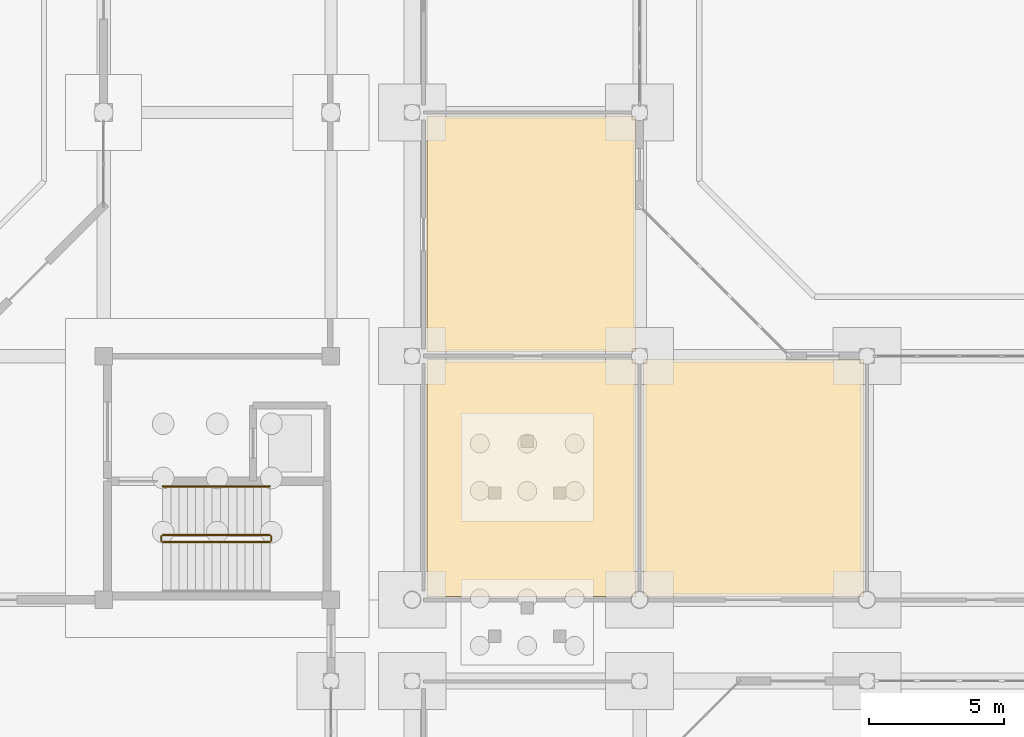
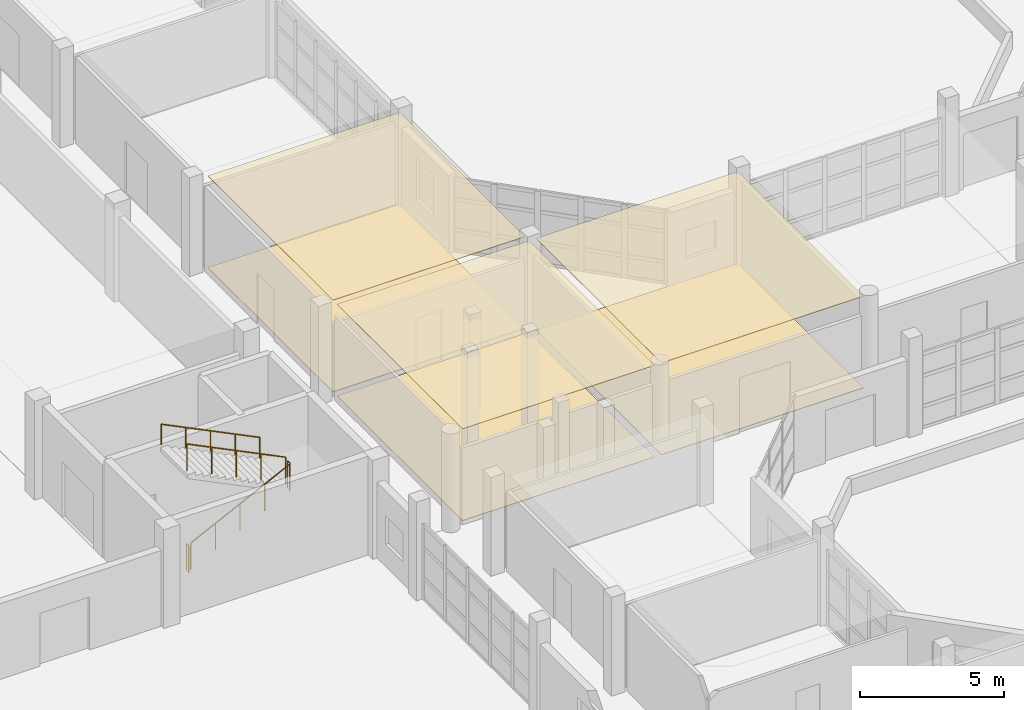
# One storey, part 77 of 88: 6 coverings, 5 railings.
"""IFC4 building model written with IfcOpenShell, lengths in metres."""

from ifc_helpers import new_model, si_unit, direction, frame, origin, origin_2d, place, context, subcontext, project, spatial, polyline, circle, outline, extrude, material, layer, layer_set, type_object, element, save


model = new_model("IFC4")

# Units and contexts
model_context = context("Model", 3, precision=1e-05, world=origin(), true_north=direction((0.0, 1.0)))
body_context = subcontext(model_context, "Body", "Model", "MODEL_VIEW")
ifc_project = project(units=[si_unit("LENGTHUNIT", "METRE"), si_unit("AREAUNIT", "SQUARE_METRE"), si_unit("VOLUMEUNIT", "CUBIC_METRE"), si_unit("PLANEANGLEUNIT", "RADIAN"), si_unit("MASSUNIT", "GRAM", prefix="KILO")], contexts=[model_context])

# Site, building, storey
site_placement = place(None, origin())
site = spatial("IfcSite", under=ifc_project, at=site_placement, CompositionType="ELEMENT")
building_placement = place(site_placement, origin())
building = spatial("IfcBuilding", under=site, at=building_placement, Name="Vanh Quang Courtyard School", CompositionType="ELEMENT")
storey_placement = place(building_placement, origin())
storey = spatial("IfcBuildingStorey", under=building, at=storey_placement, Name="L00", CompositionType="ELEMENT", Elevation=0.0)

# Coverings
ifc_material_1 = material(Name="Perforated mineral-fibre acoustic ceiling board")
ifc_layer_1 = layer(ifc_material_1, 0.02490234375)
ifc_layer_set_1 = layer_set([ifc_layer_1], Name="Perforated mineral-fibre acoustic ceiling board")
covering_type_1 = type_object("IfcCoveringType", Name="COV-CEIL-ACOUSTIC", PredefinedType="CEILING", material=ifc_layer_set_1)
covering_1_placement = place(storey_placement, frame((0.0, 0.0, 3.89501953125)))
element("IfcCovering", 1, at=covering_1_placement, inside=storey, type_object=covering_type_1, Name="Covering CV-CL1 (L00)", PredefinedType="CEILING", context=body_context, shape_type="SweptSolid", body=[
    extrude(outline(polyline([(85.659912109375, 41.27001953125), (85.660888671875, 41.27001953125), (85.662109375, 41.269775390625), (85.662841796875, 41.26953125), (85.663818359375, 41.269287109375), (85.664794921875, 41.268798828125), (85.66552734375, 41.268310546875), (85.666259765625, 41.267578125), (85.6669921875, 41.26708984375), (85.667724609375, 41.266357421875), (85.668212890625, 41.265625), (85.668701171875, 41.2646484375), (85.669189453125, 41.263916015625), (85.669677734375, 41.262939453125), (85.669921875, 41.261962890625), (85.669921875, 41.260986328125), (85.669921875, 41.260009765625), (85.669921875, 32.5400390625), (85.669921875, 32.5390625), (85.669921875, 32.5380859375), (85.669677734375, 32.537109375), (85.669189453125, 32.5361328125), (85.668701171875, 32.535400390625), (85.668212890625, 32.534423828125), (85.667724609375, 32.53369140625), (85.6669921875, 32.532958984375), (85.666259765625, 32.5322265625), (85.66552734375, 32.53173828125), (85.664794921875, 32.53125), (85.663818359375, 32.53076171875), (85.662841796875, 32.530517578125), (85.662109375, 32.5302734375), (85.660888671875, 32.530029296875), (85.659912109375, 32.530029296875), (77.9599609375, 32.530029296875), (77.958984375, 32.530029296875), (77.9580078125, 32.5302734375), (77.95703125, 32.530517578125), (77.956298828125, 32.53076171875), (77.955322265625, 32.53125), (77.954345703125, 32.53173828125), (77.95361328125, 32.5322265625), (77.952880859375, 32.532958984375), (77.952392578125, 32.53369140625), (77.95166015625, 32.534423828125), (77.951171875, 32.535400390625), (77.95068359375, 32.5361328125), (77.950439453125, 32.537109375), (77.9501953125, 32.5380859375), (77.949951171875, 32.5390625), (77.949951171875, 32.5400390625), (77.949951171875, 41.260009765625), (77.949951171875, 41.260986328125), (77.9501953125, 41.261962890625), (77.950439453125, 41.262939453125), (77.95068359375, 41.263916015625), (77.951171875, 41.2646484375), (77.95166015625, 41.265625), (77.952392578125, 41.266357421875), (77.952880859375, 41.26708984375), (77.95361328125, 41.267578125), (77.954345703125, 41.268310546875), (77.955322265625, 41.268798828125), (77.956298828125, 41.269287109375), (77.95703125, 41.26953125), (77.9580078125, 41.269775390625), (77.958984375, 41.27001953125), (77.9599609375, 41.27001953125), (85.659912109375, 41.27001953125)])), origin(), (0.0, 0.0, 1.0), 0.02490234375),
])
covering_2_placement = place(storey_placement, frame((0.0, 0.0, 3.89501953125)))
element("IfcCovering", 2, at=covering_2_placement, inside=storey, type_object=covering_type_1, Name="Covering CV-CL1 (L00)", PredefinedType="CEILING", context=body_context, shape_type="SweptSolid", body=[
    extrude(outline(polyline([(77.9599609375, 41.550048828125), (77.958984375, 41.550048828125), (77.9580078125, 41.55029296875), (77.95703125, 41.55029296875), (77.956298828125, 41.55078125), (77.955322265625, 41.55126953125), (77.954345703125, 41.5517578125), (77.95361328125, 41.55224609375), (77.952880859375, 41.552978515625), (77.952392578125, 41.5537109375), (77.95166015625, 41.554443359375), (77.951171875, 41.555419921875), (77.95068359375, 41.55615234375), (77.950439453125, 41.55712890625), (77.9501953125, 41.55810546875), (77.949951171875, 41.55908203125), (77.949951171875, 41.56005859375), (77.949951171875, 50.260009765625), (77.949951171875, 50.260986328125), (77.9501953125, 50.261962890625), (77.950439453125, 50.262939453125), (77.95068359375, 50.263916015625), (77.951171875, 50.2646484375), (77.95166015625, 50.265625), (77.952392578125, 50.266357421875), (77.952880859375, 50.26708984375), (77.95361328125, 50.267578125), (77.954345703125, 50.268310546875), (77.955322265625, 50.268798828125), (77.956298828125, 50.269287109375), (77.95703125, 50.26953125), (77.9580078125, 50.269775390625), (77.958984375, 50.27001953125), (77.9599609375, 50.27001953125), (85.659912109375, 50.27001953125), (85.660888671875, 50.27001953125), (85.662109375, 50.269775390625), (85.662841796875, 50.26953125), (85.663818359375, 50.269287109375), (85.664794921875, 50.268798828125), (85.66552734375, 50.268310546875), (85.666259765625, 50.267578125), (85.6669921875, 50.26708984375), (85.667724609375, 50.266357421875), (85.668212890625, 50.265625), (85.668701171875, 50.2646484375), (85.669189453125, 50.263916015625), (85.669677734375, 50.262939453125), (85.669921875, 50.261962890625), (85.669921875, 50.260986328125), (85.669921875, 50.260009765625), (85.669921875, 41.56005859375), (85.669921875, 41.55908203125), (85.669921875, 41.55810546875), (85.669677734375, 41.55712890625), (85.669189453125, 41.55615234375), (85.668701171875, 41.555419921875), (85.668212890625, 41.554443359375), (85.667724609375, 41.5537109375), (85.6669921875, 41.552978515625), (85.666259765625, 41.55224609375), (85.66552734375, 41.5517578125), (85.664794921875, 41.55126953125), (85.663818359375, 41.55078125), (85.662841796875, 41.55029296875), (85.662109375, 41.55029296875), (85.660888671875, 41.550048828125), (85.659912109375, 41.550048828125), (77.9599609375, 41.550048828125)])), origin(), (0.0, 0.0, 1.0), 0.02490234375),
])
covering_3_placement = place(storey_placement, frame((0.0, 0.0, 3.89501953125)))
element("IfcCovering", 3, at=covering_3_placement, inside=storey, type_object=covering_type_1, Name="Covering CV-CL1 (L00)", PredefinedType="CEILING", context=body_context, shape_type="SweptSolid", body=[
    extrude(outline(polyline([(85.9599609375, 32.530029296875), (85.958984375, 32.530029296875), (85.9580078125, 32.5302734375), (85.95703125, 32.530517578125), (85.956298828125, 32.53076171875), (85.955322265625, 32.53125), (85.954345703125, 32.53173828125), (85.95361328125, 32.5322265625), (85.952880859375, 32.532958984375), (85.952392578125, 32.53369140625), (85.95166015625, 32.534423828125), (85.951171875, 32.535400390625), (85.95068359375, 32.5361328125), (85.950439453125, 32.537109375), (85.9501953125, 32.5380859375), (85.949951171875, 32.5390625), (85.949951171875, 32.5400390625), (85.949951171875, 41.260009765625), (85.949951171875, 41.260986328125), (85.9501953125, 41.261962890625), (85.950439453125, 41.262939453125), (85.95068359375, 41.263916015625), (85.951171875, 41.2646484375), (85.95166015625, 41.265625), (85.952392578125, 41.266357421875), (85.952880859375, 41.26708984375), (85.95361328125, 41.267578125), (85.954345703125, 41.268310546875), (85.955322265625, 41.268798828125), (85.956298828125, 41.269287109375), (85.95703125, 41.26953125), (85.9580078125, 41.269775390625), (85.958984375, 41.27001953125), (85.9599609375, 41.27001953125), (94.06005859375, 41.27001953125), (94.06103515625, 41.27001953125), (94.06201171875, 41.269775390625), (94.06298828125, 41.26953125), (94.063720703125, 41.269287109375), (94.064697265625, 41.268798828125), (94.065673828125, 41.268310546875), (94.06640625, 41.267578125), (94.067138671875, 41.26708984375), (94.067626953125, 41.266357421875), (94.068359375, 41.265625), (94.06884765625, 41.2646484375), (94.069091796875, 41.263916015625), (94.069580078125, 41.262939453125), (94.06982421875, 41.261962890625), (94.070068359375, 41.260986328125), (94.070068359375, 41.260009765625), (94.070068359375, 32.5400390625), (94.070068359375, 32.5390625), (94.06982421875, 32.5380859375), (94.069580078125, 32.537109375), (94.069091796875, 32.5361328125), (94.06884765625, 32.535400390625), (94.068359375, 32.534423828125), (94.067626953125, 32.53369140625), (94.067138671875, 32.532958984375), (94.06640625, 32.5322265625), (94.065673828125, 32.53173828125), (94.064697265625, 32.53125), (94.063720703125, 32.53076171875), (94.06298828125, 32.530517578125), (94.06201171875, 32.5302734375), (94.06103515625, 32.530029296875), (94.06005859375, 32.530029296875), (85.9599609375, 32.530029296875)])), origin(), (0.0, 0.0, 1.0), 0.02490234375),
])
ifc_material_2 = material(Name="Polished cementitious terrazzo tile", Category="concrete")
ifc_layer_2 = layer(ifc_material_2, 0.02001953125)
ifc_layer_set_2 = layer_set([ifc_layer_2], Name="Polished cementitious terrazzo tile")
covering_type_2 = type_object("IfcCoveringType", Name="COV-FLR-TERRAZZO", PredefinedType="FLOORING", material=ifc_layer_set_2)
covering_4_placement = place(storey_placement, origin())
element("IfcCovering", 4, at=covering_4_placement, inside=storey, type_object=covering_type_2, Name="Covering CV-FL1 (L00)", PredefinedType="FLOORING", context=body_context, shape_type="SweptSolid", body=[
    extrude(outline(polyline([(85.659912109375, 41.27001953125), (85.660888671875, 41.27001953125), (85.662109375, 41.269775390625), (85.662841796875, 41.26953125), (85.663818359375, 41.269287109375), (85.664794921875, 41.268798828125), (85.66552734375, 41.268310546875), (85.666259765625, 41.267578125), (85.6669921875, 41.26708984375), (85.667724609375, 41.266357421875), (85.668212890625, 41.265625), (85.668701171875, 41.2646484375), (85.669189453125, 41.263916015625), (85.669677734375, 41.262939453125), (85.669921875, 41.261962890625), (85.669921875, 41.260986328125), (85.669921875, 41.260009765625), (85.669921875, 32.5400390625), (85.669921875, 32.5390625), (85.669921875, 32.5380859375), (85.669677734375, 32.537109375), (85.669189453125, 32.5361328125), (85.668701171875, 32.535400390625), (85.668212890625, 32.534423828125), (85.667724609375, 32.53369140625), (85.6669921875, 32.532958984375), (85.666259765625, 32.5322265625), (85.66552734375, 32.53173828125), (85.664794921875, 32.53125), (85.663818359375, 32.53076171875), (85.662841796875, 32.530517578125), (85.662109375, 32.5302734375), (85.660888671875, 32.530029296875), (85.659912109375, 32.530029296875), (77.9599609375, 32.530029296875), (77.958984375, 32.530029296875), (77.9580078125, 32.5302734375), (77.95703125, 32.530517578125), (77.956298828125, 32.53076171875), (77.955322265625, 32.53125), (77.954345703125, 32.53173828125), (77.95361328125, 32.5322265625), (77.952880859375, 32.532958984375), (77.952392578125, 32.53369140625), (77.95166015625, 32.534423828125), (77.951171875, 32.535400390625), (77.95068359375, 32.5361328125), (77.950439453125, 32.537109375), (77.9501953125, 32.5380859375), (77.949951171875, 32.5390625), (77.949951171875, 32.5400390625), (77.949951171875, 41.260009765625), (77.949951171875, 41.260986328125), (77.9501953125, 41.261962890625), (77.950439453125, 41.262939453125), (77.95068359375, 41.263916015625), (77.951171875, 41.2646484375), (77.95166015625, 41.265625), (77.952392578125, 41.266357421875), (77.952880859375, 41.26708984375), (77.95361328125, 41.267578125), (77.954345703125, 41.268310546875), (77.955322265625, 41.268798828125), (77.956298828125, 41.269287109375), (77.95703125, 41.26953125), (77.9580078125, 41.269775390625), (77.958984375, 41.27001953125), (77.9599609375, 41.27001953125), (85.659912109375, 41.27001953125)])), origin(), (0.0, 0.0, 1.0), 0.02001953125),
])
covering_5_placement = place(storey_placement, origin())
element("IfcCovering", 5, at=covering_5_placement, inside=storey, type_object=covering_type_2, Name="Covering CV-FL1 (L00)", PredefinedType="FLOORING", context=body_context, shape_type="SweptSolid", body=[
    extrude(outline(polyline([(77.9599609375, 41.550048828125), (77.958984375, 41.550048828125), (77.9580078125, 41.55029296875), (77.95703125, 41.55029296875), (77.956298828125, 41.55078125), (77.955322265625, 41.55126953125), (77.954345703125, 41.5517578125), (77.95361328125, 41.55224609375), (77.952880859375, 41.552978515625), (77.952392578125, 41.5537109375), (77.95166015625, 41.554443359375), (77.951171875, 41.555419921875), (77.95068359375, 41.55615234375), (77.950439453125, 41.55712890625), (77.9501953125, 41.55810546875), (77.949951171875, 41.55908203125), (77.949951171875, 41.56005859375), (77.949951171875, 50.260009765625), (77.949951171875, 50.260986328125), (77.9501953125, 50.261962890625), (77.950439453125, 50.262939453125), (77.95068359375, 50.263916015625), (77.951171875, 50.2646484375), (77.95166015625, 50.265625), (77.952392578125, 50.266357421875), (77.952880859375, 50.26708984375), (77.95361328125, 50.267578125), (77.954345703125, 50.268310546875), (77.955322265625, 50.268798828125), (77.956298828125, 50.269287109375), (77.95703125, 50.26953125), (77.9580078125, 50.269775390625), (77.958984375, 50.27001953125), (77.9599609375, 50.27001953125), (85.659912109375, 50.27001953125), (85.660888671875, 50.27001953125), (85.662109375, 50.269775390625), (85.662841796875, 50.26953125), (85.663818359375, 50.269287109375), (85.664794921875, 50.268798828125), (85.66552734375, 50.268310546875), (85.666259765625, 50.267578125), (85.6669921875, 50.26708984375), (85.667724609375, 50.266357421875), (85.668212890625, 50.265625), (85.668701171875, 50.2646484375), (85.669189453125, 50.263916015625), (85.669677734375, 50.262939453125), (85.669921875, 50.261962890625), (85.669921875, 50.260986328125), (85.669921875, 50.260009765625), (85.669921875, 41.56005859375), (85.669921875, 41.55908203125), (85.669921875, 41.55810546875), (85.669677734375, 41.55712890625), (85.669189453125, 41.55615234375), (85.668701171875, 41.555419921875), (85.668212890625, 41.554443359375), (85.667724609375, 41.5537109375), (85.6669921875, 41.552978515625), (85.666259765625, 41.55224609375), (85.66552734375, 41.5517578125), (85.664794921875, 41.55126953125), (85.663818359375, 41.55078125), (85.662841796875, 41.55029296875), (85.662109375, 41.55029296875), (85.660888671875, 41.550048828125), (85.659912109375, 41.550048828125), (77.9599609375, 41.550048828125)])), origin(), (0.0, 0.0, 1.0), 0.02001953125),
])
covering_6_placement = place(storey_placement, origin())
element("IfcCovering", 6, at=covering_6_placement, inside=storey, type_object=covering_type_2, Name="Covering CV-FL1 (L00)", PredefinedType="FLOORING", context=body_context, shape_type="SweptSolid", body=[
    extrude(outline(polyline([(85.9599609375, 32.530029296875), (85.958984375, 32.530029296875), (85.9580078125, 32.5302734375), (85.95703125, 32.530517578125), (85.956298828125, 32.53076171875), (85.955322265625, 32.53125), (85.954345703125, 32.53173828125), (85.95361328125, 32.5322265625), (85.952880859375, 32.532958984375), (85.952392578125, 32.53369140625), (85.95166015625, 32.534423828125), (85.951171875, 32.535400390625), (85.95068359375, 32.5361328125), (85.950439453125, 32.537109375), (85.9501953125, 32.5380859375), (85.949951171875, 32.5390625), (85.949951171875, 32.5400390625), (85.949951171875, 41.260009765625), (85.949951171875, 41.260986328125), (85.9501953125, 41.261962890625), (85.950439453125, 41.262939453125), (85.95068359375, 41.263916015625), (85.951171875, 41.2646484375), (85.95166015625, 41.265625), (85.952392578125, 41.266357421875), (85.952880859375, 41.26708984375), (85.95361328125, 41.267578125), (85.954345703125, 41.268310546875), (85.955322265625, 41.268798828125), (85.956298828125, 41.269287109375), (85.95703125, 41.26953125), (85.9580078125, 41.269775390625), (85.958984375, 41.27001953125), (85.9599609375, 41.27001953125), (94.06005859375, 41.27001953125), (94.06103515625, 41.27001953125), (94.06201171875, 41.269775390625), (94.06298828125, 41.26953125), (94.063720703125, 41.269287109375), (94.064697265625, 41.268798828125), (94.065673828125, 41.268310546875), (94.06640625, 41.267578125), (94.067138671875, 41.26708984375), (94.067626953125, 41.266357421875), (94.068359375, 41.265625), (94.06884765625, 41.2646484375), (94.069091796875, 41.263916015625), (94.069580078125, 41.262939453125), (94.06982421875, 41.261962890625), (94.070068359375, 41.260986328125), (94.070068359375, 41.260009765625), (94.070068359375, 32.5400390625), (94.070068359375, 32.5390625), (94.06982421875, 32.5380859375), (94.069580078125, 32.537109375), (94.069091796875, 32.5361328125), (94.06884765625, 32.535400390625), (94.068359375, 32.534423828125), (94.067626953125, 32.53369140625), (94.067138671875, 32.532958984375), (94.06640625, 32.5322265625), (94.065673828125, 32.53173828125), (94.064697265625, 32.53125), (94.063720703125, 32.53076171875), (94.06298828125, 32.530517578125), (94.06201171875, 32.5302734375), (94.06103515625, 32.530029296875), (94.06005859375, 32.530029296875), (85.9599609375, 32.530029296875)])), origin(), (0.0, 0.0, 1.0), 0.02001953125),
])

# Railings
ifc_material_3 = material(Name="Galvanised painted steel EN 10025-2 S355J2", Category="steel")
railing_type_1 = type_object("IfcRailingType", Name="RAIL-GUARD-1150", PredefinedType="BALUSTRADE", material=ifc_material_3)
railing_1_placement = place(storey_placement, frame((68.179931640625, 34.530029296875, 0.14990234375)))
element("IfcRailing", 7, at=railing_1_placement, inside=storey, type_object=railing_type_1, Name="L00 ST-04 stair guard 1", PredefinedType="BALUSTRADE", context=body_context, shape_type="SweptSolid", body=[
    extrude(circle(Radius=0.02392578125, at=origin_2d()), frame((0.0, 0.0, 1.1259765625), z_axis=(0.897336335206, 0.0, 0.441347370582), x_axis=(0.0, 1.0, 0.0)), (0.0, 0.0, 1.0), 4.418701171875),
    extrude(circle(Radius=0.02099609375, at=origin_2d()), origin(), (0.0, 0.0, 1.0), 1.101806640625),
    extrude(circle(Radius=0.02099609375, at=origin_2d()), frame((0.9912109375, 0.0, 0.487548828125)), (0.0, 0.0, 1.0), 1.101806640625),
    extrude(circle(Radius=0.02099609375, at=origin_2d()), frame((1.982421875, 0.0, 0.97509765625)), (0.0, 0.0, 1.0), 1.101806640625),
    extrude(circle(Radius=0.02099609375, at=origin_2d()), frame((2.973876953125, 0.0, 1.462646484375)), (0.0, 0.0, 1.0), 1.101806640625),
    extrude(circle(Radius=0.02099609375, at=origin_2d()), frame((3.965087890625, 0.0, 1.9501953125)), (0.0, 0.0, 1.0), 1.101806640625),
])
railing_2_placement = place(storey_placement, frame((72.195068359375, 34.580078125, 2.10009765625)))
element("IfcRailing", 8, at=railing_2_placement, inside=storey, type_object=railing_type_1, Name="L00 ST-04 stair guard 2", PredefinedType="BALUSTRADE", context=body_context, shape_type="SweptSolid", body=[
    extrude(circle(Radius=0.02392578125, at=origin_2d()), frame((0.0, 0.0, 1.1259765625), z_axis=(0.0, 1.0, 0.0), x_axis=(-1.0, 0.0, 0.0)), (0.0, 0.0, 1.0), 0.159912109375),
    extrude(circle(Radius=0.02099609375, at=origin_2d()), origin(), (0.0, 0.0, 1.0), 1.101806640625),
    extrude(circle(Radius=0.02099609375, at=origin_2d()), frame((0.0, 0.159912109375, 0.0)), (0.0, 0.0, 1.0), 1.101806640625),
])
railing_3_placement = place(storey_placement, frame((72.14501953125, 34.7900390625, 2.25)))
element("IfcRailing", 9, at=railing_3_placement, inside=storey, type_object=railing_type_1, Name="L00 ST-04 stair guard 3", PredefinedType="BALUSTRADE", context=body_context, shape_type="SweptSolid", body=[
    extrude(circle(Radius=0.02392578125, at=origin_2d()), frame((0.0, 0.0, 1.1259765625), z_axis=(-0.897358216196, 0.0, 0.441302879919), x_axis=(0.0, -1.0, 0.0)), (0.0, 0.0, 1.0), 4.418701171875),
    extrude(circle(Radius=0.02099609375, at=origin_2d()), origin(), (0.0, 0.0, 1.0), 1.101806640625),
    extrude(circle(Radius=0.02099609375, at=origin_2d()), frame((-0.9912109375, 0.0, 0.487548828125)), (0.0, 0.0, 1.0), 1.101806640625),
    extrude(circle(Radius=0.02099609375, at=origin_2d()), frame((-1.982421875, 0.0, 0.97509765625)), (0.0, 0.0, 1.0), 1.101806640625),
    extrude(circle(Radius=0.02099609375, at=origin_2d()), frame((-2.973876953125, 0.0, 1.46240234375)), (0.0, 0.0, 1.0), 1.101806640625),
    extrude(circle(Radius=0.02099609375, at=origin_2d()), frame((-3.965087890625, 0.0, 1.949951171875)), (0.0, 0.0, 1.0), 1.101806640625),
])
railing_4_placement = place(storey_placement, frame((68.1298828125, 34.580078125, 0.0)))
element("IfcRailing", 10, at=railing_4_placement, inside=storey, type_object=railing_type_1, Name="L00 ST-04 stair guard 4", PredefinedType="BALUSTRADE", context=body_context, shape_type="SweptSolid", body=[
    extrude(circle(Radius=0.02392578125, at=origin_2d()), frame((0.0, 0.0, 1.1259765625), z_axis=(0.0, 1.0, 0.0), x_axis=(-1.0, 0.0, 0.0)), (0.0, 0.0, 1.0), 0.159912109375),
    extrude(circle(Radius=0.02099609375, at=origin_2d()), origin(), (0.0, 0.0, 1.0), 1.101806640625),
    extrude(circle(Radius=0.02099609375, at=origin_2d()), frame((0.0, 0.159912109375, 0.0)), (0.0, 0.0, 1.0), 1.101806640625),
])
ifc_material_4 = material(Name="Brushed stainless steel", Category="steel")
railing_type_2 = type_object("IfcRailingType", Name="RAIL-HAND-900", PredefinedType="HANDRAIL", material=ifc_material_4)
railing_5_placement = place(storey_placement, frame((72.14501953125, 36.590087890625, 2.25)))
element("IfcRailing", 11, at=railing_5_placement, inside=storey, type_object=railing_type_2, Name="L00 ST-04 stair handrail 2", PredefinedType="HANDRAIL", context=body_context, shape_type="SweptSolid", body=[
    extrude(circle(Radius=0.02392578125, at=origin_2d()), frame((0.0, 0.0, 0.8759765625), z_axis=(-0.897358216196, 0.0, 0.441302879919), x_axis=(0.0, -1.0, 0.0)), (0.0, 0.0, 1.0), 4.418701171875),
    extrude(circle(Radius=0.02099609375, at=origin_2d()), origin(), (0.0, 0.0, 1.0), 0.851806640625),
    extrude(circle(Radius=0.02099609375, at=origin_2d()), frame((-0.9912109375, 0.0, 0.487548828125)), (0.0, 0.0, 1.0), 0.851806640625),
    extrude(circle(Radius=0.02099609375, at=origin_2d()), frame((-1.982421875, 0.0, 0.97509765625)), (0.0, 0.0, 1.0), 0.851806640625),
    extrude(circle(Radius=0.02099609375, at=origin_2d()), frame((-2.973876953125, 0.0, 1.46240234375)), (0.0, 0.0, 1.0), 0.851806640625),
    extrude(circle(Radius=0.02099609375, at=origin_2d()), frame((-3.965087890625, 0.0, 1.949951171875)), (0.0, 0.0, 1.0), 0.851806640625),
])

save(model, "model.ifc")
